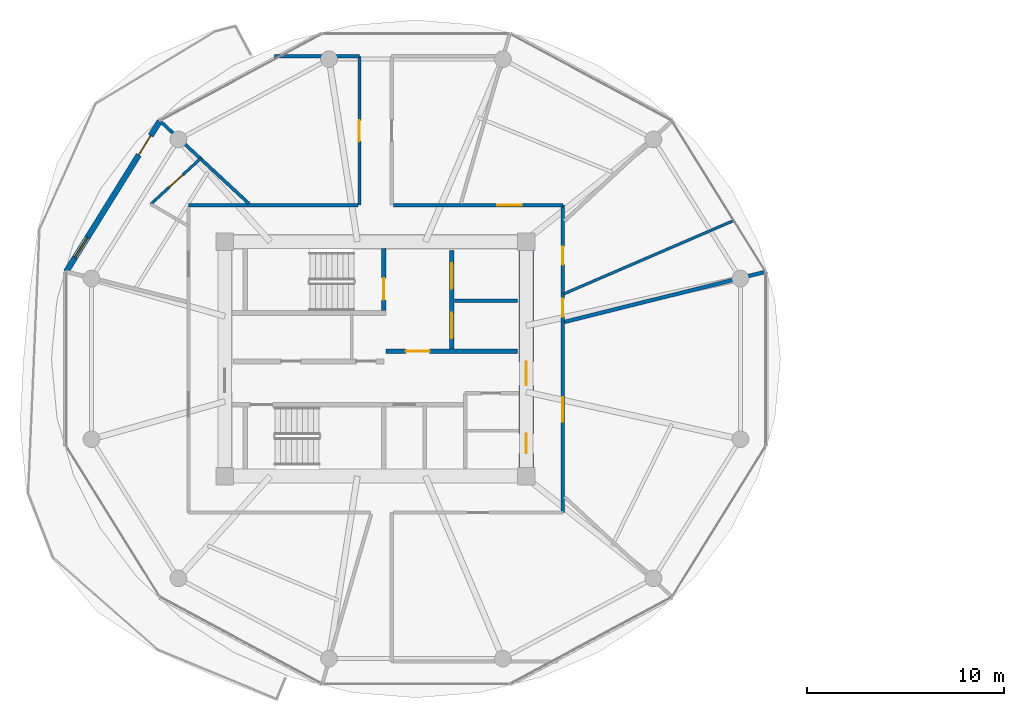
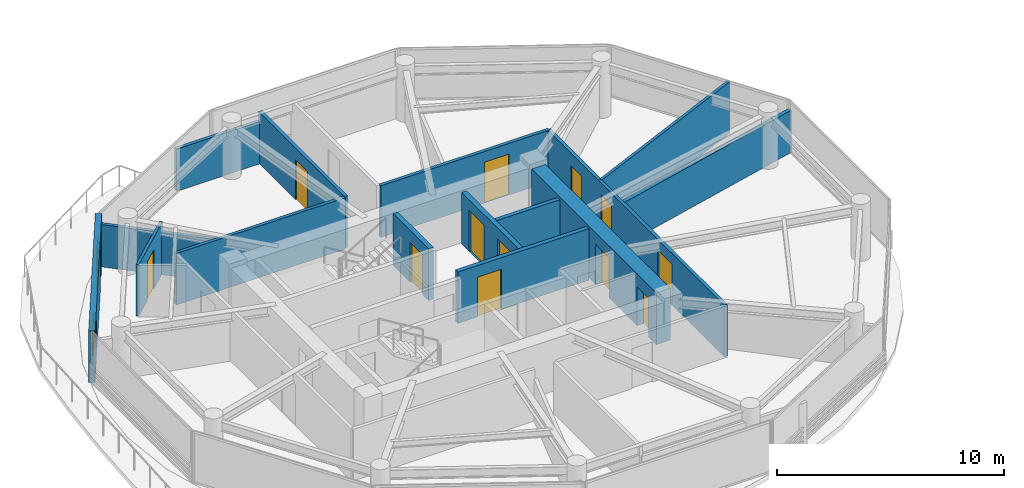
# One storey, part 14 of 22: 15 walls, 13 doors, 1 window, 14 openings.
"""IFC4 building model written with IfcOpenShell, lengths in metres."""

import ifcopenshell
import ifcopenshell.guid

model = None  # the IFC model being written
_history = None  # IfcOwnerHistory: only IFC2X3 demands one
_inside = {}  # id of a spatial element -> (the spatial element, [elements in it])
_under = {}  # id of a project, library or spatial element -> (it, [spatial elements below it])
_declared = {}  # id of a project -> (the project, [libraries it declares])
_typed = {}  # id of a type object -> (the type object, [elements of that type])
_made_of = {}  # id of a material, layer set ... -> (it, [elements and type objects made of it])


def new_model(schema):
    """Start an empty IFC model of exactly this schema.

    Asked for "IFC4X3", IfcOpenShell would pick the latest addendum, in which some entities
    have other attributes; the version numbers below select the first issue.
    IFC2X3 requires an IfcOwnerHistory on every rooted entity: one is made here for all.
    """
    global model, _history
    if schema == "IFC4X3":
        model = ifcopenshell.file(schema_version=(4, 3, 0, 0))
    else:
        model = ifcopenshell.file(schema=schema)
    _inside.clear()
    _under.clear()
    _declared.clear()
    _typed.clear()
    _made_of.clear()
    _history = None
    if model.schema == "IFC2X3":
        org = make("IfcOrganization", Name="unknown")
        user = make(
            "IfcPersonAndOrganization",
            ThePerson=make("IfcPerson", FamilyName="unknown"),
            TheOrganization=org,
        )
        app = make(
            "IfcApplication",
            ApplicationDeveloper=org,
            Version="unknown",
            ApplicationFullName="unknown",
            ApplicationIdentifier="unknown",
        )
        _history = make(
            "IfcOwnerHistory",
            OwningUser=user,
            OwningApplication=app,
            ChangeAction="ADDED",
            CreationDate=0,
        )
    return model


def make(cls, **values):
    """One entity of the class cls with the attributes given. An attribute that is None is left unset."""
    return model.create_entity(
        cls, **{name: value for name, value in values.items() if value is not None}
    )


def rooted(cls, **values):
    """An entity with a GlobalId (a new one), such as an element, a storey or a relation."""
    return make(cls, GlobalId=ifcopenshell.guid.new(), OwnerHistory=_history, **values)


def si_unit(unit_type, name, prefix=None):
    """IfcSIUnit, for example si_unit("LENGTHUNIT", "METRE", prefix="MILLI")."""
    return make("IfcSIUnit", UnitType=unit_type, Prefix=prefix, Name=name)


def assignment(units):
    """IfcUnitAssignment: the units of a project."""
    return None if units is None else make("IfcUnitAssignment", Units=units)


def point(xyz):
    """IfcCartesianPoint."""
    return None if xyz is None else make("IfcCartesianPoint", Coordinates=xyz)


def direction(xyz):
    """IfcDirection."""
    return None if xyz is None else make("IfcDirection", DirectionRatios=xyz)


def frame(location, z_axis=None, x_axis=None):
    """IfcAxis2Placement3D, a coordinate frame: its origin and axes. An axis left out is left unset."""
    return make(
        "IfcAxis2Placement3D",
        Location=point(location),
        Axis=direction(z_axis),
        RefDirection=direction(x_axis),
    )


def frame_2d(location, x_axis=None):
    """IfcAxis2Placement2D, a coordinate frame in the plane: its origin and x axis."""
    return make(
        "IfcAxis2Placement2D", Location=point(location), RefDirection=direction(x_axis)
    )


def origin():
    """The frame at (0, 0, 0) with its axes left unset."""
    return frame((0.0, 0.0, 0.0))


def place(relative_to, where):
    """IfcLocalPlacement: puts the frame where relative to a parent placement (None: the world)."""
    return make(
        "IfcLocalPlacement", PlacementRelTo=relative_to, RelativePlacement=where
    )


def context(
    kind, dimensions, precision=None, world=None, true_north=None, identifier=None
):
    """IfcGeometricRepresentationContext, for example the 3D "Model" context."""
    return make(
        "IfcGeometricRepresentationContext",
        ContextIdentifier=identifier,
        ContextType=kind,
        CoordinateSpaceDimension=dimensions,
        Precision=precision,
        WorldCoordinateSystem=world,
        TrueNorth=true_north,
    )


def subcontext(parent, identifier, kind, view, scale=None):
    """IfcGeometricRepresentationSubContext, for example "Body" below "Model"."""
    return make(
        "IfcGeometricRepresentationSubContext",
        ContextIdentifier=identifier,
        ContextType=kind,
        ParentContext=parent,
        TargetScale=scale,
        TargetView=view,
    )


def project(units=None, contexts=None):
    """IfcProject with its units and contexts."""
    return rooted(
        "IfcProject",
        Name="project",
        RepresentationContexts=contexts,
        UnitsInContext=assignment(units),
    )


def spatial(cls, under=None, at=None, **own):
    """A site, building, storey or space (cls), placed at a placement, below another one or the project."""
    s = rooted(cls, ObjectPlacement=at, **own)
    if under is not None:
        _under.setdefault(under.id(), (under, []))[1].append(s)
    return s


def profile(cls, at=None, kind="AREA", **sizes):
    """A parametric profile (cls). Its sizes go by their IFC names, for example OverallWidth=200.0."""
    return make(cls, ProfileType=kind, Position=at, **sizes)


def rectangle(**sizes):
    """IfcRectangleProfileDef."""
    return profile("IfcRectangleProfileDef", **sizes)


def extrude(swept, where, along, depth):
    """IfcExtrudedAreaSolid: the profile swept, set in the frame where, extruded along a direction by depth."""
    return make(
        "IfcExtrudedAreaSolid",
        SweptArea=swept,
        Position=where,
        ExtrudedDirection=direction(along),
        Depth=depth,
    )


def shape(context_of_items, identifier, shape_type, items):
    """IfcShapeRepresentation: the items that make up one representation, for example the "Body"."""
    return make(
        "IfcShapeRepresentation",
        ContextOfItems=context_of_items,
        RepresentationIdentifier=identifier,
        RepresentationType=shape_type,
        Items=items,
    )


def source(mapping_origin, context_of_items, identifier, shape_type, items):
    """IfcRepresentationMap: a shape defined once, which mapped items show again and again."""
    return make(
        "IfcRepresentationMap",
        MappingOrigin=mapping_origin,
        MappedRepresentation=shape(context_of_items, identifier, shape_type, items),
    )


def transform(
    local_origin,
    x_axis=None,
    y_axis=None,
    z_axis=None,
    scale=None,
    scale2=None,
    scale3=None,
    uniform=True,
):
    """IfcCartesianTransformationOperator3D, or its non-uniform kind. x_axis, y_axis, z_axis: its Axis1, 2, 3."""
    if uniform:
        return make(
            "IfcCartesianTransformationOperator3D",
            Axis1=direction(x_axis),
            Axis2=direction(y_axis),
            LocalOrigin=point(local_origin),
            Scale=scale,
            Axis3=direction(z_axis),
        )
    return make(
        "IfcCartesianTransformationOperator3DnonUniform",
        Axis1=direction(x_axis),
        Axis2=direction(y_axis),
        LocalOrigin=point(local_origin),
        Scale=scale,
        Axis3=direction(z_axis),
        Scale2=scale2,
        Scale3=scale3,
    )


def mapped(mapping_source, mapping_target):
    """IfcMappedItem: shows the shape of a source again, moved by a transform."""
    return make(
        "IfcMappedItem", MappingSource=mapping_source, MappingTarget=mapping_target
    )


def material(Name=None, Category=None):
    """IfcMaterial."""
    return make("IfcMaterial", Name=Name, Category=Category)


def layer(
    of_material, thickness, ventilated=None, Name=None, Category=None, Priority=None
):
    """IfcMaterialLayer: one layer of a wall or slab, of a material (None: an air gap)."""
    return make(
        "IfcMaterialLayer",
        Material=of_material,
        LayerThickness=thickness,
        IsVentilated=ventilated,
        Name=Name,
        Category=Category,
        Priority=Priority,
    )


def layer_set(layers, Name=None):
    """IfcMaterialLayerSet."""
    return make("IfcMaterialLayerSet", MaterialLayers=layers, LayerSetName=Name)


def made_of(thing, what):
    """Note that an element or type object is made of a material, layer set ...; save() writes the relation."""
    if what is not None:
        _made_of.setdefault(what.id(), (what, []))[1].append(thing)
    return thing


def type_object(cls, material=None, **own):
    """A type object (cls), such as IfcWallType, which elements share."""
    return made_of(rooted(cls, **own), material)


def type_shapes(of_type, sources):
    """Give a type object the sources (RepresentationMaps) that its elements show as mapped items."""
    of_type.RepresentationMaps = sources


def element(
    cls,
    number,
    at=None,
    inside=None,
    cuts=None,
    type_object=None,
    material=None,
    context=None,
    identifier="Body",
    shape_type=None,
    held_by="IfcProductDefinitionShape",
    body=None,
    shapes=None,
    **own,
):
    """One element of the class cls, such as IfcWall. Its Tag is "e" and its number.

    at: its placement. inside: the storey or other place that contains it. cuts: it is an
    opening in that element (IfcRelVoidsElement). A single representation is given by context,
    identifier, shape_type and body (its items); several are given by shapes. held_by: the class
    of the entity that holds the representations. save() writes the other relations.
    """
    e = rooted(cls, Tag="e%d" % number, ObjectPlacement=at, **own)
    if body is not None:
        shapes = [shape(context, identifier, shape_type, body)]
    if shapes is not None:
        e.Representation = make(held_by, Representations=shapes)
    if inside is not None:
        _inside.setdefault(inside.id(), (inside, []))[1].append(e)
    if cuts is not None:
        rooted(
            "IfcRelVoidsElement", RelatingBuildingElement=cuts, RelatedOpeningElement=e
        )
    if type_object is not None:
        _typed.setdefault(type_object.id(), (type_object, []))[1].append(e)
    return made_of(e, material)


def fill(opening, filler):
    """IfcRelFillsElement: the door or window that sits in an opening."""
    return rooted(
        "IfcRelFillsElement",
        RelatingOpeningElement=opening,
        RelatedBuildingElement=filler,
    )


def aggregate(whole, parts):
    """IfcRelAggregates: a whole, such as a stair, and the parts it consists of."""
    return rooted("IfcRelAggregates", RelatingObject=whole, RelatedObjects=parts)


def save(model, path):
    """Write the relations noted so far, then the file.

    IfcRelAggregates (storeys below a building ...), IfcRelContainedInSpatialStructure (elements
    in a storey), IfcRelDefinesByType, IfcRelAssociatesMaterial and IfcRelDeclares: one each for
    every whole, place, type object, material and project.
    """
    for whole, parts in _under.values():
        aggregate(whole, parts)
    for where, things in _inside.values():
        rooted(
            "IfcRelContainedInSpatialStructure",
            RelatedElements=things,
            RelatingStructure=where,
        )
    for kind, things in _typed.values():
        rooted("IfcRelDefinesByType", RelatedObjects=things, RelatingType=kind)
    for what, things in _made_of.values():
        rooted("IfcRelAssociatesMaterial", RelatedObjects=things, RelatingMaterial=what)
    for by, libraries in _declared.values():
        rooted("IfcRelDeclares", RelatingContext=by, RelatedDefinitions=libraries)
    model.write(path)


model = new_model("IFC4")

# Units and contexts
model_context = context("Model", 3, precision=1e-05, world=origin(), true_north=direction((0.0, 1.0)))
body_context = subcontext(model_context, "Body", "Model", "MODEL_VIEW")
ifc_project = project(units=[si_unit("LENGTHUNIT", "METRE"), si_unit("AREAUNIT", "SQUARE_METRE"), si_unit("VOLUMEUNIT", "CUBIC_METRE"), si_unit("PLANEANGLEUNIT", "RADIAN"), si_unit("MASSUNIT", "GRAM", prefix="KILO")], contexts=[model_context])

# Site, building, storey
site_placement = place(None, origin())
site = spatial("IfcSite", under=ifc_project, at=site_placement, CompositionType="ELEMENT")
building_placement = place(site_placement, origin())
building = spatial("IfcBuilding", under=site, at=building_placement, Name="Norrkilde Senior Care Towers", CompositionType="ELEMENT")
storey_placement = place(building_placement, frame((0.0, 0.0, 96.25)))
storey = spatial("IfcBuildingStorey", under=building, at=storey_placement, Name="L29", CompositionType="ELEMENT", Elevation=96.25)

# Wall, openings, doors
ifc_material_1 = material(Name="Concrete C60/75", Category="concrete")
ifc_layer_1 = layer(ifc_material_1, 0.719970703125)
ifc_layer_set_1 = layer_set([ifc_layer_1], Name="Concrete C60/75")
wall_type_1 = type_object("IfcWallType", Name="Core Shear Wall Z2 720", PredefinedType="SHEAR", material=ifc_layer_set_1)
shared_shape_1 = source(origin(), body_context, "Body", "SweptSolid", [
    extrude(rectangle(XDim=11.0, YDim=0.719970703125, at=frame_2d((5.5, 0.0))), origin(), (0.0, 0.0, 1.0), 2.7900390625),
])
type_shapes(wall_type_1, [shared_shape_1])
wall_1_placement = place(storey_placement, frame((-20.35009765625, 5.5, 0.0), z_axis=(0.0, 0.0, 1.0), x_axis=(0.0, -1.0, 0.0)))
wall_1 = element("IfcWall", 1, at=wall_1_placement, inside=storey, type_object=wall_type_1, Name="L29 Core W East Shear Wall", PredefinedType="SHEAR", context=body_context, shape_type="MappedRepresentation", body=[
    mapped(shared_shape_1, transform((0.0, 0.0, 0.0), x_axis=(1.0, 0.0, 0.0), y_axis=(0.0, 1.0, 0.0), z_axis=(0.0, 0.0, 1.0), scale=1.0)),
])
opening_1_placement = place(wall_1_placement, frame((5.64990234375, 0.0, 0.0)))
opening_1 = element("IfcOpeningElement", 2, at=opening_1_placement, cuts=wall_1, Name="Opening D-04", PredefinedType="OPENING", context=body_context, shape_type="SweptSolid", body=[
    extrude(rectangle(XDim=1.199951171875, YDim=2.14990234375, at=frame_2d((0.60009765625, 1.074951171875))), frame((0.0, 0.369873046875, 0.0), z_axis=(0.0, -1.0, 0.0), x_axis=(1.0, 0.0, 0.0)), (0.0, 0.0, 1.0), 0.739990234375),
])
opening_2_placement = place(wall_1_placement, frame((9.300048828125, 0.0, 0.0)))
opening_2 = element("IfcOpeningElement", 3, at=opening_2_placement, cuts=wall_1, Name="Opening D-10", PredefinedType="OPENING", context=body_context, shape_type="SweptSolid", body=[
    extrude(rectangle(XDim=1.0, YDim=2.10009765625, at=frame_2d((0.5, 1.050048828125))), frame((0.0, 0.369873046875, 0.0), z_axis=(0.0, -1.0, 0.0), x_axis=(1.0, 0.0, 0.0)), (0.0, 0.0, 1.0), 0.739990234375),
])
ifc_material_2 = material(Name="Galvanised Painted Steel", Category="steel")
door_type_1 = type_object("IfcDoorType", Name="Firefighting Lobby Fire Door 1200x2150", OperationType="NOTDEFINED", PredefinedType="DOOR", material=ifc_material_2)
shared_shape_2 = source(origin(), body_context, "Body", "SweptSolid", [
    extrude(rectangle(XDim=1.199951171875, YDim=2.14990234375, at=frame_2d((0.60009765625, 1.074951171875))), frame((0.0, 0.02490234375, 0.0), z_axis=(0.0, -1.0, 0.0), x_axis=(1.0, 0.0, 0.0)), (0.0, 0.0, 1.0), 0.050048828125),
])
type_shapes(door_type_1, [shared_shape_2])
door_1_placement = place(opening_1_placement, frame((1.199951171875, 0.0, 0.0), z_axis=(0.0, 0.0, 1.0), x_axis=(-1.0, 0.0, 0.0)))
door_1 = element("IfcDoor", 4, at=door_1_placement, inside=storey, type_object=door_type_1, Name="L29 Core W East Portal Door", OperationType="SINGLE_SWING_RIGHT", OverallHeight=2.14990234375, OverallWidth=1.199951171875, PredefinedType="DOOR", context=body_context, shape_type="MappedRepresentation", body=[
    mapped(shared_shape_2, transform((0.0, 0.0, 0.0), x_axis=(1.0, 0.0, 0.0), y_axis=(0.0, 1.0, 0.0), z_axis=(0.0, 0.0, 1.0), scale=1.0)),
])
fill(opening_1, door_1)
door_type_2 = type_object("IfcDoorType", Name="Plant and Riser Rated Door 1000x2100", OperationType="NOTDEFINED", PredefinedType="DOOR", material=ifc_material_2)
shared_shape_3 = source(origin(), body_context, "Body", "SweptSolid", [
    extrude(rectangle(XDim=1.0, YDim=2.10009765625, at=frame_2d((0.5, 1.050048828125))), frame((0.0, 0.02490234375, 0.0), z_axis=(0.0, -1.0, 0.0), x_axis=(1.0, 0.0, 0.0)), (0.0, 0.0, 1.0), 0.050048828125),
])
type_shapes(door_type_2, [shared_shape_3])
door_2_placement = place(opening_2_placement, frame((1.0, 0.0, 0.0), z_axis=(0.0, 0.0, 1.0), x_axis=(-1.0, 0.0, 0.0)))
door_2 = element("IfcDoor", 5, at=door_2_placement, inside=storey, type_object=door_type_2, Name="L29 Ventilation Riser W Door", OperationType="SINGLE_SWING_RIGHT", OverallHeight=2.10009765625, OverallWidth=1.0, PredefinedType="DOOR", context=body_context, shape_type="MappedRepresentation", body=[
    mapped(shared_shape_3, transform((0.0, 0.0, 0.0), x_axis=(1.0, 0.0, 0.0), y_axis=(0.0, 1.0, 0.0), z_axis=(0.0, 0.0, 1.0), scale=1.0)),
])
fill(opening_2, door_2)

# Wall, openings, door, window
ifc_material_3 = material(Name="Precast concrete C45/55", Category="concrete")
ifc_layer_2 = layer(ifc_material_3, 0.2900390625)
ifc_layer_set_2 = layer_set([ifc_layer_2], Name="Precast concrete C45/55")
wall_type_2 = type_object("IfcWallType", Name="Winter Garden Facade Wall 290", PredefinedType="SOLIDWALL", material=ifc_layer_set_2)
shared_shape_4 = source(origin(), body_context, "Body", "SweptSolid", [
    extrude(rectangle(XDim=9.01416015625, YDim=0.2900390625, at=frame_2d((4.507080078125, 0.0))), origin(), (0.0, 0.0, 1.0), 2.7900390625),
])
type_shapes(wall_type_2, [shared_shape_4])
wall_2_placement = place(storey_placement, frame((-43.70361328125, 4.420654296875, 0.0), z_axis=(0.0, 0.0, 1.0), x_axis=(0.527732945084, 0.849410347637, 0.0)))
wall_2 = element("IfcWall", 6, at=wall_2_placement, inside=storey, type_object=wall_type_2, Name="L29 Drum W Balcony Access Wall 04", PredefinedType="SOLIDWALL", context=body_context, shape_type="MappedRepresentation", body=[
    mapped(shared_shape_4, transform((0.0, 0.0, 0.0), x_axis=(1.0, 0.0, 0.0), y_axis=(0.0, 1.0, 0.0), z_axis=(0.0, 0.0, 1.0), scale=1.0)),
])
opening_3_placement = place(wall_2_placement, frame((6.97998046875, 0.0, 0.0)))
opening_3 = element("IfcOpeningElement", 7, at=opening_3_placement, cuts=wall_2, Name="Opening D-09", PredefinedType="OPENING", context=body_context, shape_type="SweptSolid", body=[
    extrude(rectangle(XDim=1.14990234375, YDim=2.25, at=frame_2d((0.574951171875, 1.125))), frame((0.0, 0.155029296875, 0.0), z_axis=(0.0, -1.0, 0.0), x_axis=(1.0, 0.0, 0.0)), (0.0, 0.0, 1.0), 0.31005859375),
])
opening_4_placement = place(wall_2_placement, frame((0.85009765625, 0.0, 0.85009765625)))
opening_4 = element("IfcOpeningElement", 8, at=opening_4_placement, cuts=wall_2, Name="Opening WN-07", PredefinedType="OPENING", context=body_context, shape_type="SweptSolid", body=[
    extrude(rectangle(XDim=1.199951171875, YDim=1.5, at=frame_2d((0.60009765625, 0.75))), frame((0.0, 0.155029296875, 0.0), z_axis=(0.0, -1.0, 0.0), x_axis=(1.0, 0.0, 0.0)), (0.0, 0.0, 1.0), 0.31005859375),
])
ifc_material_4 = material(Name="Anodised Aluminium", Category="aluminium")
door_type_3 = type_object("IfcDoorType", Name="Terrace and Balcony Glazed Door 1150x2250", OperationType="NOTDEFINED", PredefinedType="DOOR", material=ifc_material_4)
shared_shape_5 = source(origin(), body_context, "Body", "SweptSolid", [
    extrude(rectangle(XDim=1.14990234375, YDim=2.25, at=frame_2d((0.574951171875, 1.125))), frame((0.0, 0.02490234375, 0.0), z_axis=(0.0, -1.0, 0.0), x_axis=(1.0, 0.0, 0.0)), (0.0, 0.0, 1.0), 0.050048828125),
])
type_shapes(door_type_3, [shared_shape_5])
door_3_placement = place(opening_3_placement, origin())
door_3 = element("IfcDoor", 9, at=door_3_placement, inside=storey, type_object=door_type_3, Name="L29 Drum W Outdoor Terrace Door 04", OperationType="SINGLE_SWING_LEFT", OverallHeight=2.25, OverallWidth=1.14990234375, PredefinedType="DOOR", context=body_context, shape_type="MappedRepresentation", body=[
    mapped(shared_shape_5, transform((0.0, 0.0, 0.0), x_axis=(1.0, 0.0, 0.0), y_axis=(0.0, 1.0, 0.0), z_axis=(0.0, 0.0, 1.0), scale=1.0)),
])
fill(opening_3, door_3)
ifc_material_5 = material(Name="Triple Low-E Insulated Glazing", Category="glass")
window_type = type_object("IfcWindowType", Name="Stairwell Smoke Vent Window 1200x1500", PartitioningType="SINGLE_PANEL", PredefinedType="WINDOW", material=ifc_material_5)
shared_shape_6 = source(origin(), body_context, "Body", "SweptSolid", [
    extrude(rectangle(XDim=1.199951171875, YDim=1.5, at=frame_2d((0.60009765625, 0.75))), frame((0.0, 0.030029296875, 0.0), z_axis=(0.0, -1.0, 0.0), x_axis=(1.0, 0.0, 0.0)), (0.0, 0.0, 1.0), 0.06005859375),
])
type_shapes(window_type, [shared_shape_6])
window_placement = place(opening_4_placement, origin())
window = element("IfcWindow", 10, at=window_placement, inside=storey, type_object=window_type, Name="L29 Drum W Winter Garden Window 04", OverallHeight=1.5, OverallWidth=1.199951171875, PartitioningType="SINGLE_PANEL", PredefinedType="WINDOW", context=body_context, shape_type="MappedRepresentation", body=[
    mapped(shared_shape_6, transform((0.0, 0.0, 0.0), x_axis=(1.0, 0.0, 0.0), y_axis=(0.0, 1.0, 0.0), z_axis=(0.0, 0.0, 1.0), scale=1.0)),
])
fill(opening_4, window)

# Wall, openings, doors
ifc_material_6 = material(Name="Concrete C45/55", Category="concrete")
ifc_layer_3 = layer(ifc_material_6, 0.239990234375)
ifc_layer_set_3 = layer_set([ifc_layer_3], Name="Concrete C45/55")
wall_type_3 = type_object("IfcWallType", Name="Lift and Plant Rated Enclosure Partition 240", PredefinedType="PARTITIONING", material=ifc_layer_set_3)
shared_shape_7 = source(origin(), body_context, "Body", "SweptSolid", [
    extrude(rectangle(XDim=5.0, YDim=0.239990234375, at=frame_2d((2.5, 0.0))), origin(), (0.0, 0.0, 1.0), 2.77490234375),
])
type_shapes(wall_type_3, [shared_shape_7])
wall_3_placement = place(storey_placement, frame((-24.139892578125, 0.5, 0.0), z_axis=(0.0, 0.0, 1.0), x_axis=(0.0, 1.0, 0.0)))
wall_3 = element("IfcWall", 11, at=wall_3_placement, inside=storey, type_object=wall_type_3, Name="WL-INT-L29-W-FFLE", PredefinedType="PARTITIONING", context=body_context, shape_type="MappedRepresentation", body=[
    mapped(shared_shape_7, transform((0.0, 0.0, 0.0), x_axis=(1.0, 0.0, 0.0), y_axis=(0.0, 1.0, 0.0), z_axis=(0.0, 0.0, 1.0), scale=1.0)),
])
opening_5_placement = place(wall_3_placement, frame((3.050048828125, 0.0, 0.0)))
opening_5 = element("IfcOpeningElement", 12, at=opening_5_placement, cuts=wall_3, Name="Opening LD-02", PredefinedType="OPENING", context=body_context, shape_type="SweptSolid", body=[
    extrude(rectangle(XDim=1.300048828125, YDim=2.199951171875, at=frame_2d((0.64990234375, 1.10009765625))), frame((0.0, 0.1298828125, 0.0), z_axis=(0.0, -1.0, 0.0), x_axis=(1.0, 0.0, 0.0)), (0.0, 0.0, 1.0), 0.260009765625),
])
opening_6_placement = place(wall_3_placement, frame((0.550048828125, 0.0, 0.0)))
opening_6 = element("IfcOpeningElement", 13, at=opening_6_placement, cuts=wall_3, Name="Opening LD-02", PredefinedType="OPENING", context=body_context, shape_type="SweptSolid", body=[
    extrude(rectangle(XDim=1.300048828125, YDim=2.199951171875, at=frame_2d((0.64990234375, 1.10009765625))), frame((0.0, 0.1298828125, 0.0), z_axis=(0.0, -1.0, 0.0), x_axis=(1.0, 0.0, 0.0)), (0.0, 0.0, 1.0), 0.260009765625),
])
ifc_material_7 = material(Name="Stainless Steel", Category="steel")
door_type_4 = type_object("IfcDoorType", Name="Stretcher and FFL Landing Sliding Door 1300x2200", OperationType="NOTDEFINED", PredefinedType="DOOR", material=ifc_material_7)
shared_shape_8 = source(origin(), body_context, "Body", "SweptSolid", [
    extrude(rectangle(XDim=1.300048828125, YDim=2.199951171875, at=frame_2d((0.64990234375, 1.10009765625))), frame((0.0, 0.02490234375, 0.0), z_axis=(0.0, -1.0, 0.0), x_axis=(1.0, 0.0, 0.0)), (0.0, 0.0, 1.0), 0.050048828125),
])
type_shapes(door_type_4, [shared_shape_8])
door_4_placement = place(opening_5_placement, origin())
door_4 = element("IfcDoor", 14, at=door_4_placement, inside=storey, type_object=door_type_4, Name="L29 Firefighting Lift W1 Landing Door", OperationType="SLIDING_TO_LEFT", OverallHeight=2.199951171875, OverallWidth=1.300048828125, PredefinedType="DOOR", context=body_context, shape_type="MappedRepresentation", body=[
    mapped(shared_shape_8, transform((0.0, 0.0, 0.0), x_axis=(1.0, 0.0, 0.0), y_axis=(0.0, 1.0, 0.0), z_axis=(0.0, 0.0, 1.0), scale=1.0)),
])
fill(opening_5, door_4)
door_5_placement = place(opening_6_placement, origin())
door_5 = element("IfcDoor", 15, at=door_5_placement, inside=storey, type_object=door_type_4, Name="L29 Stretcher Lift W1 Landing Door", OperationType="SLIDING_TO_RIGHT", OverallHeight=2.199951171875, OverallWidth=1.300048828125, PredefinedType="DOOR", context=body_context, shape_type="MappedRepresentation", body=[
    mapped(shared_shape_8, transform((0.0, 0.0, 0.0), x_axis=(1.0, 0.0, 0.0), y_axis=(0.0, 1.0, 0.0), z_axis=(0.0, 0.0, 1.0), scale=1.0)),
])
fill(opening_6, door_5)

# Wall
ifc_layer_4 = layer(ifc_material_6, 0.199951171875)
ifc_layer_set_4 = layer_set([ifc_layer_4], Name="Concrete C45/55")
wall_type_4 = type_object("IfcWallType", Name="Shaft Division and Plant Partition 200", PredefinedType="PARTITIONING", material=ifc_layer_set_4)
shared_shape_9 = source(origin(), body_context, "Body", "SweptSolid", [
    extrude(rectangle(XDim=3.199951171875, YDim=0.199951171875, at=frame_2d((1.60009765625, 0.0))), origin(), (0.0, 0.0, 1.0), 2.77490234375),
])
type_shapes(wall_type_4, [shared_shape_9])
wall_4_placement = place(storey_placement, frame((-24.0, 2.949951171875, 0.0), z_axis=(0.0, 0.0, 1.0), x_axis=(1.0, 0.0, 0.0)))
element("IfcWall", 16, at=wall_4_placement, inside=storey, type_object=wall_type_4, Name="WL-INT-L29-W-FFLDIV", PredefinedType="PARTITIONING", context=body_context, shape_type="MappedRepresentation", body=[
    mapped(shared_shape_9, transform((0.0, 0.0, 0.0), x_axis=(1.0, 0.0, 0.0), y_axis=(0.0, 1.0, 0.0), z_axis=(0.0, 0.0, 1.0), scale=1.0)),
])

# Wall, opening, door
ifc_layer_5 = layer(ifc_material_6, 0.2099609375)
ifc_layer_set_5 = layer_set([ifc_layer_5], Name="Concrete C45/55")
wall_type_5 = type_object("IfcWallType", Name="Firefighting Lobby Wall 210", PredefinedType="PARTITIONING", material=ifc_layer_set_5)
shared_shape_10 = source(origin(), body_context, "Body", "SweptSolid", [
    extrude(rectangle(XDim=6.659912109375, YDim=0.2099609375, at=frame_2d((3.330078125, 0.0))), origin(), (0.0, 0.0, 1.0), 2.77490234375),
])
type_shapes(wall_type_5, [shared_shape_10])
wall_5_placement = place(storey_placement, frame((-27.4599609375, 0.389892578125, 0.0), z_axis=(0.0, 0.0, 1.0), x_axis=(1.0, 0.0, 0.0)))
wall_5 = element("IfcWall", 17, at=wall_5_placement, inside=storey, type_object=wall_type_5, Name="WL-INT-L29-W-FFLS", PredefinedType="PARTITIONING", context=body_context, shape_type="MappedRepresentation", body=[
    mapped(shared_shape_10, transform((0.0, 0.0, 0.0), x_axis=(1.0, 0.0, 0.0), y_axis=(0.0, 1.0, 0.0), z_axis=(0.0, 0.0, 1.0), scale=1.0)),
])
opening_7_placement = place(wall_5_placement, frame((1.0, 0.0, 0.0)))
opening_7 = element("IfcOpeningElement", 18, at=opening_7_placement, cuts=wall_5, Name="Opening D-04", PredefinedType="OPENING", context=body_context, shape_type="SweptSolid", body=[
    extrude(rectangle(XDim=1.199951171875, YDim=2.14990234375, at=frame_2d((0.60009765625, 1.074951171875))), frame((0.0, 0.114990234375, 0.0), z_axis=(0.0, -1.0, 0.0), x_axis=(1.0, 0.0, 0.0)), (0.0, 0.0, 1.0), 0.22998046875),
])
door_6_placement = place(opening_7_placement, frame((1.199951171875, 0.0, 0.0), z_axis=(0.0, 0.0, 1.0), x_axis=(-1.0, 0.0, 0.0)))
door_6 = element("IfcDoor", 19, at=door_6_placement, inside=storey, type_object=door_type_1, Name="L29 Firefighting Lobby W Door", OperationType="SINGLE_SWING_LEFT", OverallHeight=2.14990234375, OverallWidth=1.199951171875, PredefinedType="DOOR", context=body_context, shape_type="MappedRepresentation", body=[
    mapped(shared_shape_2, transform((0.0, 0.0, 0.0), x_axis=(1.0, 0.0, 0.0), y_axis=(0.0, 1.0, 0.0), z_axis=(0.0, 0.0, 1.0), scale=1.0)),
])
fill(opening_7, door_6)

# Wall, openings, doors
ifc_material_8 = material(Name="Gypsum Acoustic Board")
ifc_layer_6 = layer(ifc_material_8, 0.1650390625)
ifc_layer_set_6 = layer_set([ifc_layer_6], Name="Gypsum Acoustic Board")
wall_type_6 = type_object("IfcWallType", Name="Corridor Rated Partition 165", PredefinedType="PARTITIONING", material=ifc_layer_set_6)
shared_shape_11 = source(origin(), body_context, "Body", "SweptSolid", [
    extrude(rectangle(XDim=15.60009765625, YDim=0.1650390625, at=frame_2d((7.800048828125, 0.0))), origin(), (0.0, 0.0, 1.0), 2.77490234375),
])
wall_6_placement = place(storey_placement, frame((-18.5, 7.800048828125, 0.0), z_axis=(0.0, 0.0, 1.0), x_axis=(0.0, -1.0, 0.0)))
wall_6 = element("IfcWall", 20, at=wall_6_placement, inside=storey, type_object=wall_type_6, Name="WL-INT-L29-W-CRW-E-0", PredefinedType="PARTITIONING", context=body_context, shape_type="MappedRepresentation", body=[
    mapped(shared_shape_11, transform((0.0, 0.0, 0.0), x_axis=(1.0, 0.0, 0.0), y_axis=(0.0, 1.0, 0.0), z_axis=(0.0, 0.0, 1.0), scale=1.0)),
])
opening_8_placement = place(wall_6_placement, frame((9.734375, 0.0, 0.0)))
opening_8 = element("IfcOpeningElement", 21, at=opening_8_placement, cuts=wall_6, Name="Opening D-05", PredefinedType="OPENING", context=body_context, shape_type="SweptSolid", body=[
    extrude(rectangle(XDim=1.25, YDim=2.199951171875, at=frame_2d((0.625, 1.10009765625))), frame((0.0, 0.092529296875, 0.0), z_axis=(0.0, -1.0, 0.0), x_axis=(1.0, 0.0, 0.0)), (0.0, 0.0, 1.0), 0.18505859375),
])
opening_9_placement = place(wall_6_placement, frame((4.739013671875, 0.0, 0.0)))
opening_9 = element("IfcOpeningElement", 22, at=opening_9_placement, cuts=wall_6, Name="Opening D-08", PredefinedType="OPENING", context=body_context, shape_type="SweptSolid", body=[
    extrude(rectangle(XDim=0.919921875, YDim=2.10009765625, at=frame_2d((0.4599609375, 1.050048828125))), frame((0.0, 0.092529296875, 0.0), z_axis=(0.0, -1.0, 0.0), x_axis=(1.0, 0.0, 0.0)), (0.0, 0.0, 1.0), 0.18505859375),
])
opening_10_placement = place(wall_6_placement, frame((2.096435546875, 0.0, 0.0)))
opening_10 = element("IfcOpeningElement", 23, at=opening_10_placement, cuts=wall_6, Name="Opening D-08", PredefinedType="OPENING", context=body_context, shape_type="SweptSolid", body=[
    extrude(rectangle(XDim=0.919921875, YDim=2.10009765625, at=frame_2d((0.4599609375, 1.050048828125))), frame((0.0, 0.092529296875, 0.0), z_axis=(0.0, -1.0, 0.0), x_axis=(1.0, 0.0, 0.0)), (0.0, 0.0, 1.0), 0.18505859375),
])
ifc_material_9 = material(Name="Nordic Ash Timber", Category="wood")
door_type_5 = type_object("IfcDoorType", Name="Care Bedroom Bariatric Door 1250x2200", OperationType="NOTDEFINED", PredefinedType="DOOR", material=ifc_material_9)
shared_shape_12 = source(origin(), body_context, "Body", "SweptSolid", [
    extrude(rectangle(XDim=1.25, YDim=2.199951171875, at=frame_2d((0.625, 1.10009765625))), frame((0.0, 0.02490234375, 0.0), z_axis=(0.0, -1.0, 0.0), x_axis=(1.0, 0.0, 0.0)), (0.0, 0.0, 1.0), 0.050048828125),
])
type_shapes(door_type_5, [shared_shape_12])
door_7_placement = place(opening_8_placement, frame((1.25, 0.0, 0.0), z_axis=(0.0, 0.0, 1.0), x_axis=(-1.0, 0.0, 0.0)))
door_7 = element("IfcDoor", 24, at=door_7_placement, inside=storey, type_object=door_type_5, Name="L29 Geriatric Rehabilitation Clinic Door", OperationType="SINGLE_SWING_LEFT", OverallHeight=2.199951171875, OverallWidth=1.25, PredefinedType="DOOR", context=body_context, shape_type="MappedRepresentation", body=[
    mapped(shared_shape_12, transform((0.0, 0.0, 0.0), x_axis=(1.0, 0.0, 0.0), y_axis=(0.0, 1.0, 0.0), z_axis=(0.0, 0.0, 1.0), scale=1.0)),
])
fill(opening_8, door_7)
door_type_6 = type_object("IfcDoorType", Name="Accessible Wet Room Door 920x2100", OperationType="NOTDEFINED", PredefinedType="DOOR", material=ifc_material_9)
shared_shape_13 = source(origin(), body_context, "Body", "SweptSolid", [
    extrude(rectangle(XDim=0.919921875, YDim=2.10009765625, at=frame_2d((0.4599609375, 1.050048828125))), frame((0.0, 0.02490234375, 0.0), z_axis=(0.0, -1.0, 0.0), x_axis=(1.0, 0.0, 0.0)), (0.0, 0.0, 1.0), 0.050048828125),
])
type_shapes(door_type_6, [shared_shape_13])
door_8_placement = place(opening_9_placement, frame((0.919921875, 0.0, 0.0), z_axis=(0.0, 0.0, 1.0), x_axis=(-1.0, 0.0, 0.0)))
door_8 = element("IfcDoor", 25, at=door_8_placement, inside=storey, type_object=door_type_6, Name="L29 Accessible Restroom Door", OperationType="SINGLE_SWING_LEFT", OverallHeight=2.10009765625, OverallWidth=0.919921875, PredefinedType="DOOR", context=body_context, shape_type="MappedRepresentation", body=[
    mapped(shared_shape_13, transform((0.0, 0.0, 0.0), x_axis=(1.0, 0.0, 0.0), y_axis=(0.0, 1.0, 0.0), z_axis=(0.0, 0.0, 1.0), scale=1.0)),
])
fill(opening_9, door_8)
door_9_placement = place(opening_10_placement, frame((0.919921875, 0.0, 0.0), z_axis=(0.0, 0.0, 1.0), x_axis=(-1.0, 0.0, 0.0)))
door_9 = element("IfcDoor", 26, at=door_9_placement, inside=storey, type_object=door_type_6, Name="L29 Public Restroom Door", OperationType="SINGLE_SWING_RIGHT", OverallHeight=2.10009765625, OverallWidth=0.919921875, PredefinedType="DOOR", context=body_context, shape_type="MappedRepresentation", body=[
    mapped(shared_shape_13, transform((0.0, 0.0, 0.0), x_axis=(1.0, 0.0, 0.0), y_axis=(0.0, 1.0, 0.0), z_axis=(0.0, 0.0, 1.0), scale=1.0)),
])
fill(opening_10, door_9)

# Wall, opening, door
ifc_layer_7 = layer(ifc_material_6, 0.239990234375)
ifc_layer_set_7 = layer_set([ifc_layer_7], Name="Concrete C45/55")
wall_type_7 = type_object("IfcWallType", Name="Shaft and Stair Enclosure Wall 240", PredefinedType="PARTITIONING", material=ifc_layer_set_7)
shared_shape_14 = source(origin(), body_context, "Body", "SweptSolid", [
    extrude(rectangle(XDim=3.14013671875, YDim=0.239990234375, at=frame_2d((1.570068359375, 0.0))), origin(), (0.0, 0.0, 1.0), 2.7900390625),
])
type_shapes(wall_type_7, [shared_shape_14])
wall_7_placement = place(storey_placement, frame((-27.580078125, 2.449951171875, 0.0), z_axis=(0.0, 0.0, 1.0), x_axis=(0.0, 1.0, 0.0)))
wall_7 = element("IfcWall", 27, at=wall_7_placement, inside=storey, type_object=wall_type_7, Name="WL-INT-L29-W-ST1E", PredefinedType="PARTITIONING", context=body_context, shape_type="MappedRepresentation", body=[
    mapped(shared_shape_14, transform((0.0, 0.0, 0.0), x_axis=(1.0, 0.0, 0.0), y_axis=(0.0, 1.0, 0.0), z_axis=(0.0, 0.0, 1.0), scale=1.0)),
])
opening_11_placement = place(wall_7_placement, frame((0.550048828125, 0.0, 0.0)))
opening_11 = element("IfcOpeningElement", 28, at=opening_11_placement, cuts=wall_7, Name="Opening D-03", PredefinedType="OPENING", context=body_context, shape_type="SweptSolid", body=[
    extrude(rectangle(XDim=1.10009765625, YDim=2.14990234375, at=frame_2d((0.550048828125, 1.074951171875))), frame((0.0, 0.1298828125, 0.0), z_axis=(0.0, -1.0, 0.0), x_axis=(1.0, 0.0, 0.0)), (0.0, 0.0, 1.0), 0.260009765625),
])
door_type_7 = type_object("IfcDoorType", Name="Stairwell Protected Fire Door 1100x2150", OperationType="NOTDEFINED", PredefinedType="DOOR", material=ifc_material_2)
shared_shape_15 = source(origin(), body_context, "Body", "SweptSolid", [
    extrude(rectangle(XDim=1.10009765625, YDim=2.14990234375, at=frame_2d((0.550048828125, 1.074951171875))), frame((0.0, 0.02490234375, 0.0), z_axis=(0.0, -1.0, 0.0), x_axis=(1.0, 0.0, 0.0)), (0.0, 0.0, 1.0), 0.050048828125),
])
type_shapes(door_type_7, [shared_shape_15])
door_10_placement = place(opening_11_placement, origin())
door_10 = element("IfcDoor", 29, at=door_10_placement, inside=storey, type_object=door_type_7, Name="L29 Stair W1 Fire Door", OperationType="SINGLE_SWING_LEFT", OverallHeight=2.14990234375, OverallWidth=1.10009765625, PredefinedType="DOOR", context=body_context, shape_type="MappedRepresentation", body=[
    mapped(shared_shape_15, transform((0.0, 0.0, 0.0), x_axis=(1.0, 0.0, 0.0), y_axis=(0.0, 1.0, 0.0), z_axis=(0.0, 0.0, 1.0), scale=1.0)),
])
fill(opening_11, door_10)

# Wall
shared_shape_16 = source(origin(), body_context, "Body", "SweptSolid", [
    extrude(rectangle(XDim=8.60009765625, YDim=0.1650390625, at=frame_2d((4.300048828125, 0.0))), origin(), (0.0, 0.0, 1.0), 2.77490234375),
])
wall_8_placement = place(storey_placement, frame((-37.5, 7.800048828125, 0.0), z_axis=(0.0, 0.0, 1.0), x_axis=(1.0, 0.0, 0.0)))
element("IfcWall", 30, at=wall_8_placement, inside=storey, type_object=wall_type_6, Name="WL-INT-L29-W-CRW-N-0", PredefinedType="PARTITIONING", context=body_context, shape_type="MappedRepresentation", body=[
    mapped(shared_shape_16, transform((0.0, 0.0, 0.0), x_axis=(1.0, 0.0, 0.0), y_axis=(0.0, 1.0, 0.0), z_axis=(0.0, 0.0, 1.0), scale=1.0)),
])

# Wall, opening, door
wall_9_placement = place(storey_placement, frame((-27.10009765625, 7.800048828125, 0.0), z_axis=(0.0, 0.0, 1.0), x_axis=(1.0, 0.0, 0.0)))
wall_9 = element("IfcWall", 31, at=wall_9_placement, inside=storey, type_object=wall_type_6, Name="WL-INT-L29-W-CRW-N-1", PredefinedType="PARTITIONING", context=body_context, shape_type="MappedRepresentation", body=[
    mapped(shared_shape_16, transform((0.0, 0.0, 0.0), x_axis=(1.0, 0.0, 0.0), y_axis=(0.0, 1.0, 0.0), z_axis=(0.0, 0.0, 1.0), scale=1.0)),
])
opening_12_placement = place(wall_9_placement, frame((5.27490234375, 0.0, 0.0)))
opening_12 = element("IfcOpeningElement", 32, at=opening_12_placement, cuts=wall_9, Name="Opening D-05", PredefinedType="OPENING", context=body_context, shape_type="SweptSolid", body=[
    extrude(rectangle(XDim=1.25, YDim=2.199951171875, at=frame_2d((0.625, 1.10009765625))), frame((0.0, 0.092529296875, 0.0), z_axis=(0.0, -1.0, 0.0), x_axis=(1.0, 0.0, 0.0)), (0.0, 0.0, 1.0), 0.18505859375),
])
door_11_placement = place(opening_12_placement, frame((1.25, 0.0, 0.0), z_axis=(0.0, 0.0, 1.0), x_axis=(-1.0, 0.0, 0.0)))
door_11 = element("IfcDoor", 33, at=door_11_placement, inside=storey, type_object=door_type_5, Name="L29 Care Coordination Charting Office Door", OperationType="SINGLE_SWING_RIGHT", OverallHeight=2.199951171875, OverallWidth=1.25, PredefinedType="DOOR", context=body_context, shape_type="MappedRepresentation", body=[
    mapped(shared_shape_12, transform((0.0, 0.0, 0.0), x_axis=(1.0, 0.0, 0.0), y_axis=(0.0, 1.0, 0.0), z_axis=(0.0, 0.0, 1.0), scale=1.0)),
])
fill(opening_12, door_11)

# Wall
shared_shape_17 = source(origin(), body_context, "Body", "SweptSolid", [
    extrude(rectangle(XDim=6.186767578125, YDim=0.1650390625, at=frame_2d((3.09326171875, 0.0))), origin(), (0.0, 0.0, 1.0), 2.27490234375),
])
wall_10_placement = place(storey_placement, frame((-34.428955078125, 7.8798828125, 0.0), z_axis=(0.0, 0.0, 1.0), x_axis=(-0.732501077882, 0.680765870841, 0.0)))
element("IfcWall", 34, at=wall_10_placement, inside=storey, type_object=wall_type_6, Name="WL-INT-L29-W-DEM-04-0", PredefinedType="PARTITIONING", context=body_context, shape_type="MappedRepresentation", body=[
    mapped(shared_shape_17, transform((0.0, 0.0, 0.0), x_axis=(1.0, 0.0, 0.0), y_axis=(0.0, 1.0, 0.0), z_axis=(0.0, 0.0, 1.0), scale=1.0)),
])

# Wall, opening, door
shared_shape_18 = source(origin(), body_context, "Body", "SweptSolid", [
    extrude(rectangle(XDim=7.56005859375, YDim=0.1650390625, at=frame_2d((3.780029296875, 0.0))), origin(), (0.0, 0.0, 1.0), 2.77490234375),
])
wall_11_placement = place(storey_placement, frame((-28.820068359375, 7.800048828125, 0.0), z_axis=(0.0, 0.0, 1.0), x_axis=(0.0, 1.0, 0.0)))
wall_11 = element("IfcWall", 35, at=wall_11_placement, inside=storey, type_object=wall_type_6, Name="WL-INT-L29-W-PKW-NWL", PredefinedType="PARTITIONING", context=body_context, shape_type="MappedRepresentation", body=[
    mapped(shared_shape_18, transform((0.0, 0.0, 0.0), x_axis=(1.0, 0.0, 0.0), y_axis=(0.0, 1.0, 0.0), z_axis=(0.0, 0.0, 1.0), scale=1.0)),
])
opening_13_placement = place(wall_11_placement, frame((3.2548828125, 0.0, 0.0)))
opening_13 = element("IfcOpeningElement", 36, at=opening_13_placement, cuts=wall_11, Name="Opening D-06", PredefinedType="OPENING", context=body_context, shape_type="SweptSolid", body=[
    extrude(rectangle(XDim=1.050048828125, YDim=2.14990234375, at=frame_2d((0.52490234375, 1.074951171875))), frame((0.0, 0.092529296875, 0.0), z_axis=(0.0, -1.0, 0.0), x_axis=(1.0, 0.0, 0.0)), (0.0, 0.0, 1.0), 0.18505859375),
])
door_type_8 = type_object("IfcDoorType", Name="Apartment Entrance Fire Door 1050x2150", OperationType="NOTDEFINED", PredefinedType="DOOR", material=ifc_material_9)
shared_shape_19 = source(origin(), body_context, "Body", "SweptSolid", [
    extrude(rectangle(XDim=1.050048828125, YDim=2.14990234375, at=frame_2d((0.52490234375, 1.074951171875))), frame((0.0, 0.02490234375, 0.0), z_axis=(0.0, -1.0, 0.0), x_axis=(1.0, 0.0, 0.0)), (0.0, 0.0, 1.0), 0.050048828125),
])
type_shapes(door_type_8, [shared_shape_19])
door_12_placement = place(opening_13_placement, frame((1.050048828125, 0.0, 0.0), z_axis=(0.0, 0.0, 1.0), x_axis=(-1.0, 0.0, 0.0)))
door_12 = element("IfcDoor", 37, at=door_12_placement, inside=storey, type_object=door_type_8, Name="L29 Reading Lounge NWL Door", OperationType="SINGLE_SWING_RIGHT", OverallHeight=2.14990234375, OverallWidth=1.050048828125, PredefinedType="DOOR", context=body_context, shape_type="MappedRepresentation", body=[
    mapped(shared_shape_19, transform((0.0, 0.0, 0.0), x_axis=(1.0, 0.0, 0.0), y_axis=(0.0, 1.0, 0.0), z_axis=(0.0, 0.0, 1.0), scale=1.0)),
])
fill(opening_13, door_12)

# Walls
shared_shape_20 = source(origin(), body_context, "Body", "SweptSolid", [
    extrude(rectangle(XDim=4.306884765625, YDim=0.1650390625, at=frame_2d((2.1533203125, 0.0))), origin(), (0.0, 0.0, 1.0), 2.27490234375),
])
type_shapes(wall_type_6, [shared_shape_11, shared_shape_16, shared_shape_17, shared_shape_18, shared_shape_20])
wall_12_placement = place(storey_placement, frame((-33.126953125, 15.360107421875, 0.0), z_axis=(0.0, 0.0, 1.0), x_axis=(1.0, 0.0, 0.0)))
element("IfcWall", 38, at=wall_12_placement, inside=storey, type_object=wall_type_6, Name="WL-INT-L29-W-PKH-NWL-0", PredefinedType="PARTITIONING", context=body_context, shape_type="MappedRepresentation", body=[
    mapped(shared_shape_20, transform((0.0, 0.0, 0.0), x_axis=(1.0, 0.0, 0.0), y_axis=(0.0, 1.0, 0.0), z_axis=(0.0, 0.0, 1.0), scale=1.0)),
])
ifc_layer_8 = layer(ifc_material_8, 0.18994140625)
ifc_layer_set_8 = layer_set([ifc_layer_8], Name="Gypsum Acoustic Board")
wall_type_8 = type_object("IfcWallType", Name="Unit Demising Acoustic Wall 190", PredefinedType="PARTITIONING", material=ifc_layer_set_8)
shared_shape_21 = source(origin(), body_context, "Body", "SweptSolid", [
    extrude(rectangle(XDim=10.5556640625, YDim=0.18994140625, at=frame_2d((5.27783203125, 0.0))), origin(), (0.0, 0.0, 1.0), 2.27490234375),
])
type_shapes(wall_type_8, [shared_shape_21])
wall_13_placement = place(storey_placement, frame((-18.419921875, 1.875, 0.0), z_axis=(0.0, 0.0, 1.0), x_axis=(0.970363857851, 0.241648470667, 0.0)))
element("IfcWall", 39, at=wall_13_placement, inside=storey, type_object=wall_type_8, Name="WL-INT-L29-W-DEM-00-0", PredefinedType="PARTITIONING", context=body_context, shape_type="MappedRepresentation", body=[
    mapped(shared_shape_21, transform((0.0, 0.0, 0.0), x_axis=(1.0, 0.0, 0.0), y_axis=(0.0, 1.0, 0.0), z_axis=(0.0, 0.0, 1.0), scale=1.0)),
])

# Wall, opening, door
ifc_layer_9 = layer(ifc_material_8, 0.139892578125)
ifc_layer_set_9 = layer_set([ifc_layer_9], Name="Gypsum Acoustic Board")
wall_type_9 = type_object("IfcWallType", Name="En-suite Wet Room Wall 140", PredefinedType="PARTITIONING", material=ifc_layer_set_9)
shared_shape_22 = source(origin(), body_context, "Body", "SweptSolid", [
    extrude(rectangle(XDim=3.456787109375, YDim=0.139892578125, at=frame_2d((1.728515625, 0.0))), origin(), (0.0, 0.0, 1.0), 2.77490234375),
])
wall_14_placement = place(storey_placement, frame((-39.4052734375, 7.85693359375, 0.0), z_axis=(0.0, 0.0, 1.0), x_axis=(0.737567375492, 0.675273549467, 0.0)))
wall_14 = element("IfcWall", 40, at=wall_14_placement, inside=storey, type_object=wall_type_9, Name="WL-INT-L29-W-EF-04", PredefinedType="PARTITIONING", context=body_context, shape_type="MappedRepresentation", body=[
    mapped(shared_shape_22, transform((0.0, 0.0, 0.0), x_axis=(1.0, 0.0, 0.0), y_axis=(0.0, 1.0, 0.0), z_axis=(0.0, 0.0, 1.0), scale=1.0)),
])
opening_14_placement = place(wall_14_placement, frame((1.268310546875, 0.0, 0.0)))
opening_14 = element("IfcOpeningElement", 41, at=opening_14_placement, cuts=wall_14, Name="Opening D-08", PredefinedType="OPENING", context=body_context, shape_type="SweptSolid", body=[
    extrude(rectangle(XDim=0.919921875, YDim=2.10009765625, at=frame_2d((0.4599609375, 1.050048828125))), frame((0.0, 0.079833984375, 0.0), z_axis=(0.0, -1.0, 0.0), x_axis=(1.0, 0.0, 0.0)), (0.0, 0.0, 1.0), 0.159912109375),
])
door_13_placement = place(opening_14_placement, origin())
door_13 = element("IfcDoor", 42, at=door_13_placement, inside=storey, type_object=door_type_6, Name="L29 Care Suite 2904 Bathroom Door", OperationType="SINGLE_SWING_RIGHT", OverallHeight=2.10009765625, OverallWidth=0.919921875, PredefinedType="DOOR", context=body_context, shape_type="MappedRepresentation", body=[
    mapped(shared_shape_13, transform((0.0, 0.0, 0.0), x_axis=(1.0, 0.0, 0.0), y_axis=(0.0, 1.0, 0.0), z_axis=(0.0, 0.0, 1.0), scale=1.0)),
])
fill(opening_14, door_13)

# Wall
shared_shape_23 = source(origin(), body_context, "Body", "SweptSolid", [
    extrude(rectangle(XDim=9.447021484375, YDim=0.139892578125, at=frame_2d((4.7236328125, 0.0))), origin(), (0.0, 0.0, 1.0), 2.77490234375),
])
type_shapes(wall_type_9, [shared_shape_22, shared_shape_23])
wall_15_placement = place(storey_placement, frame((-18.469970703125, 3.289306640625, 0.0), z_axis=(0.0, 0.0, 1.0), x_axis=(0.918162367414, 0.396204324894, 0.0)))
element("IfcWall", 43, at=wall_15_placement, inside=storey, type_object=wall_type_9, Name="WL-INT-L29-W-MID-00", PredefinedType="PARTITIONING", context=body_context, shape_type="MappedRepresentation", body=[
    mapped(shared_shape_23, transform((0.0, 0.0, 0.0), x_axis=(1.0, 0.0, 0.0), y_axis=(0.0, 1.0, 0.0), z_axis=(0.0, 0.0, 1.0), scale=1.0)),
])

save(model, "model.ifc")
